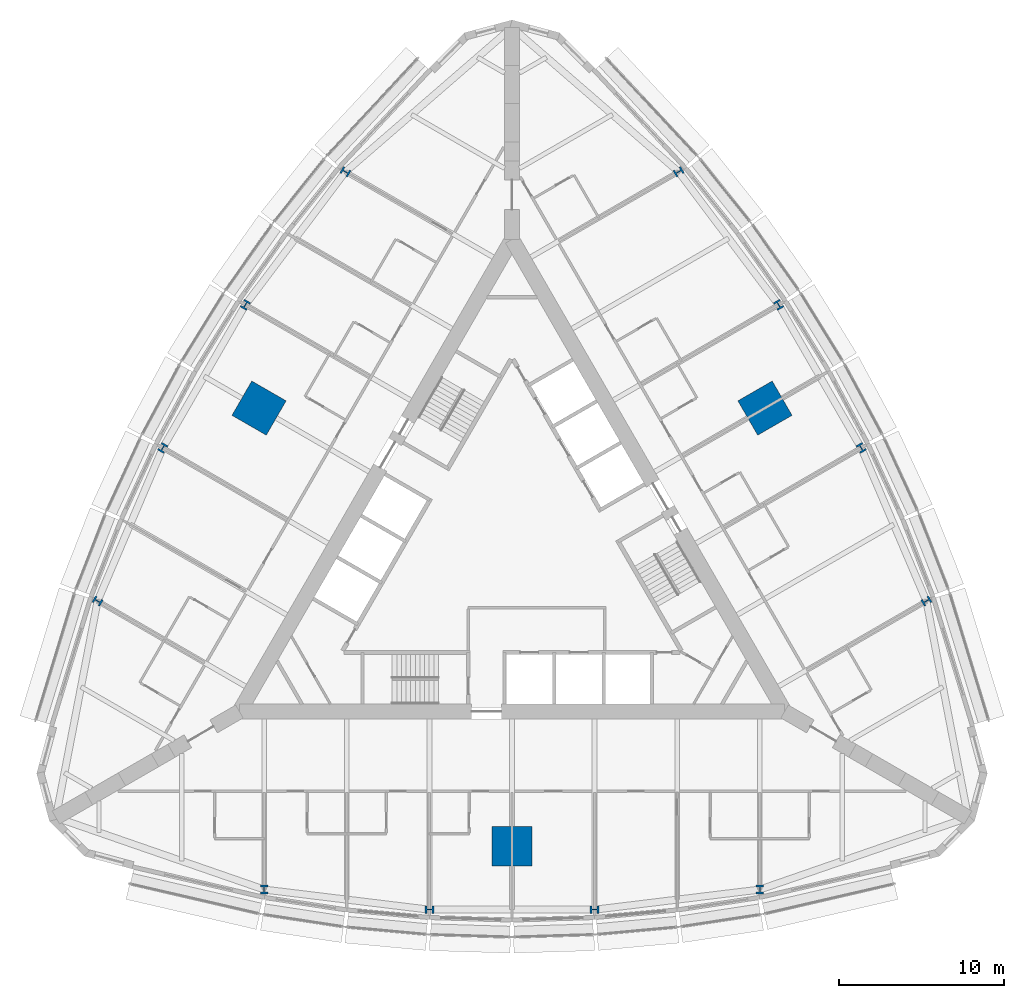
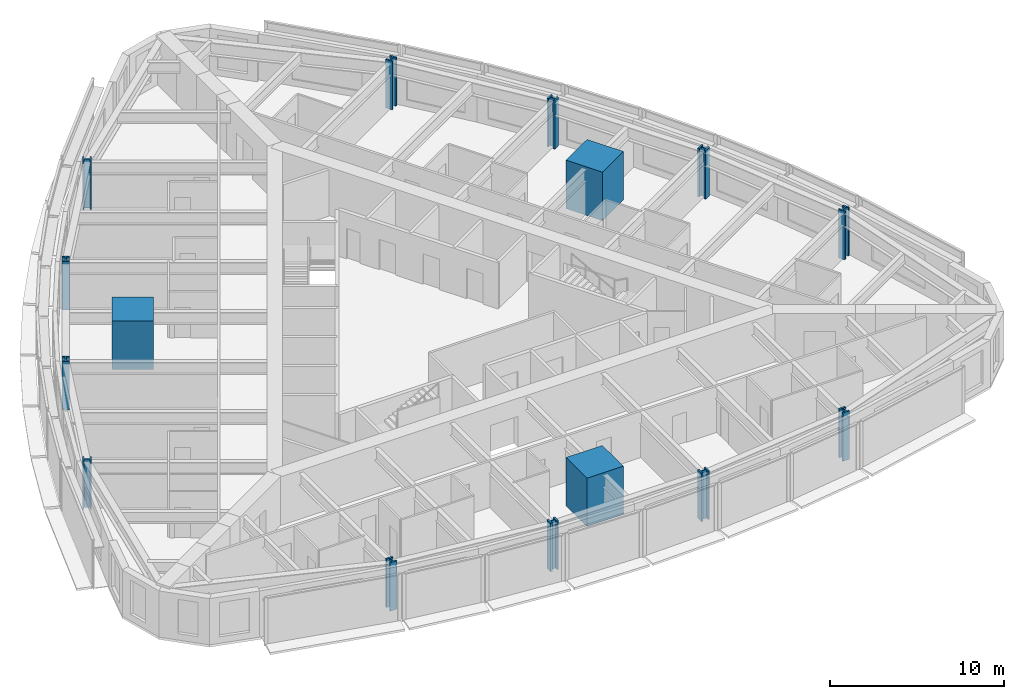
# One storey, part 1 of 14: 15 columns.
"""IFC4 building model written with IfcOpenShell, lengths in metres."""

from ifc_helpers import new_model, si_unit, direction, frame, origin, origin_2d, place, context, subcontext, project, spatial, rectangle, i_section, extrude, material, material_profile, profile_set, type_object, element, save


model = new_model("IFC4")

# Units and contexts
model_context = context("Model", 3, precision=1e-05, world=origin(), true_north=direction((0.0, 1.0)))
body_context = subcontext(model_context, "Body", "Model", "MODEL_VIEW")
ifc_project = project(units=[si_unit("LENGTHUNIT", "METRE"), si_unit("AREAUNIT", "SQUARE_METRE"), si_unit("VOLUMEUNIT", "CUBIC_METRE"), si_unit("PLANEANGLEUNIT", "RADIAN"), si_unit("MASSUNIT", "GRAM", prefix="KILO")], contexts=[model_context])

# Site, building, storey
site_placement = place(None, origin())
site = spatial("IfcSite", under=ifc_project, at=site_placement, CompositionType="ELEMENT")
building_placement = place(site_placement, origin())
building = spatial("IfcBuilding", under=site, at=building_placement, Name="Trikona Tower", CompositionType="ELEMENT")
storey_placement = place(building_placement, frame((0.0, 0.0, 62.5)))
storey = spatial("IfcBuildingStorey", under=building, at=storey_placement, Name="L15", CompositionType="ELEMENT", Elevation=62.5)

# Columns
ifc_material_1 = material(Name="Concrete f'c 10000 psi with encased steel section", Category="concrete")
ifc_material_profile_1 = material_profile(ifc_material_1, rectangle(XDim=2.39990234375, YDim=2.39990234375, at=origin_2d()), Name="MC2400")
ifc_profile_set_1 = profile_set([ifc_material_profile_1], Name="Concrete f'c 10000 psi with encased steel section")
column_type_1 = type_object("IfcColumnType", Name="Composite mega column 2400x2400", PredefinedType="COLUMN", material=ifc_profile_set_1)
for number, where, z_axis, x_axis, name in (
    (1, (0.0, -17.680419921875, 0.0), (0.0, 0.0, 1.0), (0.0, -1.0, 0.0), "Mega column MC1"),
    (2, (15.311767578125, 8.84033203125, 0.0), (0.0, 0.0, 1.0), (0.866025403784, 0.5, 0.0), "Mega column MC2"),
    (3, (-15.311767578125, 8.84033203125, 0.0), (0.0, 0.0, 1.0), (-0.866025403784, 0.5, 0.0), "Mega column MC3"),
):
    element("IfcColumn", number, at=place(storey_placement, frame(where, z_axis=z_axis, x_axis=x_axis)), inside=storey, type_object=column_type_1, Name=name, PredefinedType="COLUMN", context=body_context, shape_type="SweptSolid", body=[
        extrude(rectangle(XDim=2.39990234375, YDim=2.39990234375, at=origin_2d()), origin(), (0.0, 0.0, 1.0), 3.39990234375),
    ])
ifc_material_2 = material(Name="Steel ASTM A992 Grade 50", Category="steel")
ifc_material_profile_2 = material_profile(ifc_material_2, i_section(OverallWidth=0.44189453125, OverallDepth=0.53076171875, WebThickness=0.06591796875, FlangeThickness=0.105712890625, at=origin_2d()), Name="W14X605")
ifc_profile_set_2 = profile_set([ifc_material_profile_2], Name="Steel ASTM A992 Grade 50")
column_type_2 = type_object("IfcColumnType", Name="Steel column W14x605", PredefinedType="COLUMN", material=ifc_profile_set_2)
for number, where, z_axis, x_axis, name in (
    (4, (-15.0, -20.302978515625, 0.0), (0.0, 0.0, 1.0), (1.0, 0.0, 0.0), "Column F0m15"),
    (5, (-5.0, -21.5205078125, 0.0), (0.0, 0.0, 1.0), (0.0, -1.0, 0.0), "Column F0m5"),
    (6, (5.0, -21.5205078125, 0.0), (0.0, 0.0, 1.0), (0.0, -1.0, 0.0), "Column F0p5"),
    (7, (15.0, -20.302978515625, 0.0), (0.0, 0.0, 1.0), (1.0, 0.0, 0.0), "Column F0p15"),
    (8, (25.0830078125, -2.8388671875, 0.0), (0.0, 0.0, 1.0), (-0.5, 0.866025403784, 0.0), "Column F1m15"),
    (9, (21.13720703125, 6.43017578125, 0.0), (0.0, 0.0, 1.0), (0.866025403784, 0.5, 0.0), "Column F1m5"),
    (10, (16.13720703125, 15.09033203125, 0.0), (0.0, 0.0, 1.0), (0.866025403784, 0.5, 0.0), "Column F1p5"),
    (11, (10.0830078125, 23.141845703125, 0.0), (0.0, 0.0, 1.0), (-0.5, 0.866025403784, 0.0), "Column F1p15"),
    (12, (-10.0830078125, 23.141845703125, 0.0), (0.0, 0.0, 1.0), (-0.5, -0.866025403784, 0.0), "Column F2m15"),
    (13, (-16.13720703125, 15.09033203125, 0.0), (0.0, 0.0, 1.0), (-0.866025403784, 0.5, 0.0), "Column F2m5"),
    (14, (-21.13720703125, 6.43017578125, 0.0), (0.0, 0.0, 1.0), (-0.866025403784, 0.5, 0.0), "Column F2p5"),
    (15, (-25.0830078125, -2.8388671875, 0.0), (0.0, 0.0, 1.0), (-0.5, -0.866025403784, 0.0), "Column F2p15"),
):
    element("IfcColumn", number, at=place(storey_placement, frame(where, z_axis=z_axis, x_axis=x_axis)), inside=storey, type_object=column_type_2, Name=name, PredefinedType="COLUMN", context=body_context, shape_type="SweptSolid", body=[
        extrude(i_section(OverallWidth=0.44189453125, OverallDepth=0.53076171875, WebThickness=0.06591796875, FlangeThickness=0.105712890625, at=origin_2d()), origin(), (0.0, 0.0, 1.0), 3.39990234375),
    ])

save(model, "model.ifc")
